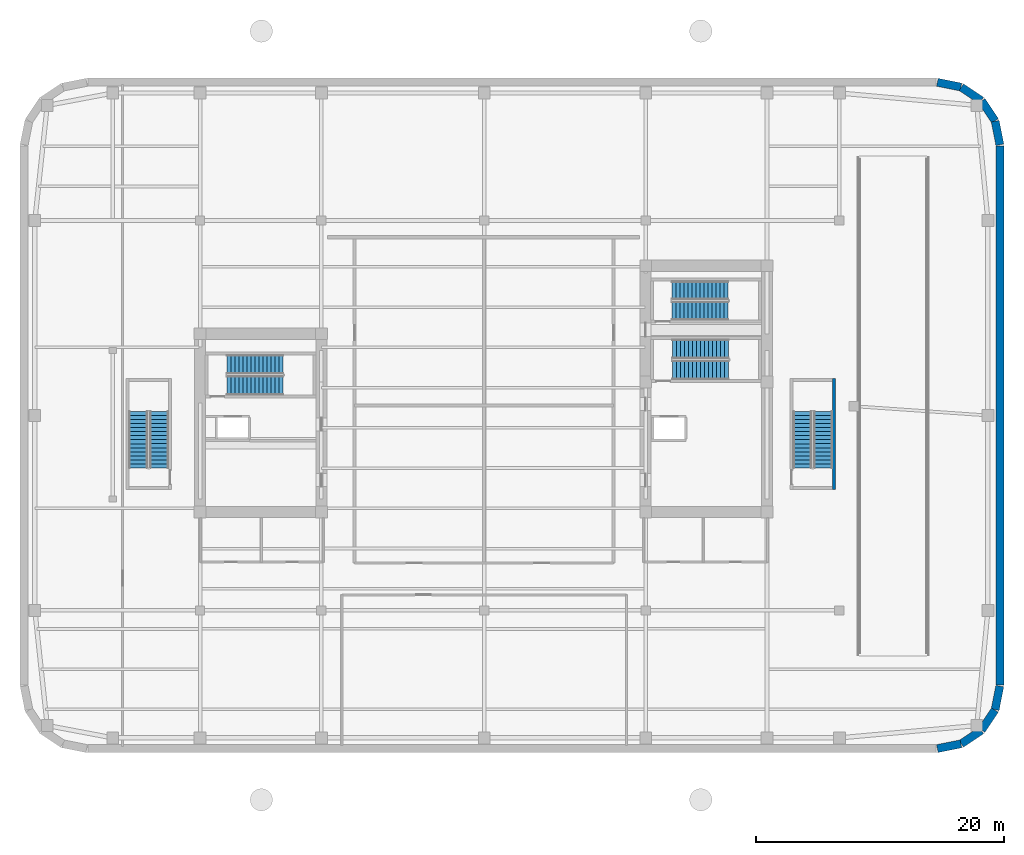
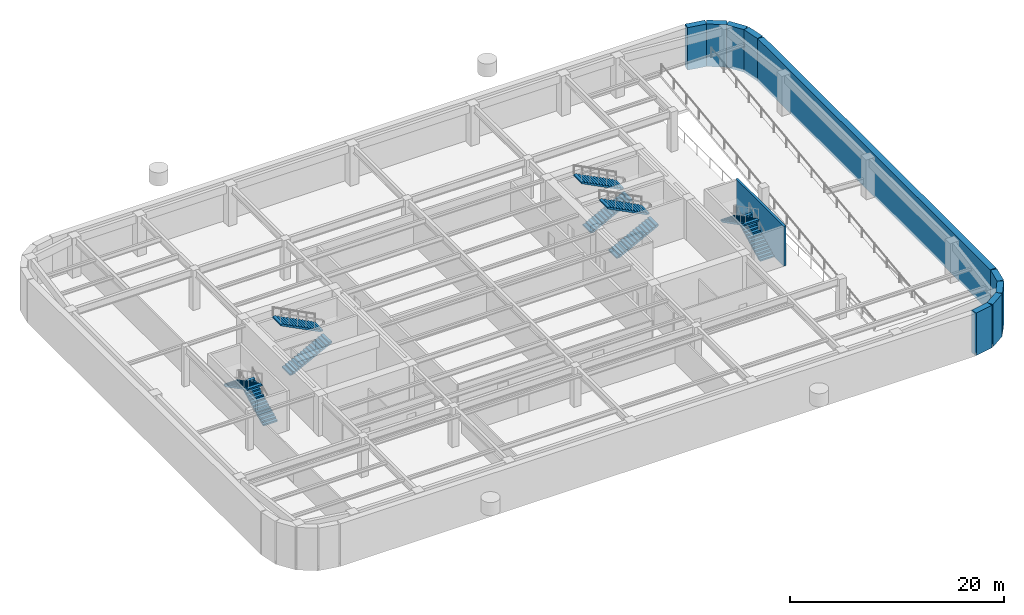
# One storey, part 7 of 12: 10 stair flights, 10 walls, 5 elements without a shape of their own.
"""IFC4 building model written with IfcOpenShell, lengths in metres."""

from ifc_helpers import new_model, si_unit, direction, frame, frame_2d, origin, place, context, subcontext, project, spatial, polyline, rectangle, outline, extrude, material, layer, layer_set, type_object, element, aggregate, save


model = new_model("IFC4")

# Units and contexts
model_context = context("Model", 3, precision=1e-05, world=origin(), true_north=direction((0.0, 1.0)))
body_context = subcontext(model_context, "Body", "Model", "MODEL_VIEW")
ifc_project = project(units=[si_unit("LENGTHUNIT", "METRE"), si_unit("AREAUNIT", "SQUARE_METRE"), si_unit("VOLUMEUNIT", "CUBIC_METRE"), si_unit("PLANEANGLEUNIT", "RADIAN"), si_unit("MASSUNIT", "GRAM", prefix="KILO")], contexts=[model_context])

# Site, building, storey
site_placement = place(None, origin())
site = spatial("IfcSite", under=ifc_project, at=site_placement, CompositionType="ELEMENT")
building_placement = place(site_placement, origin())
building = spatial("IfcBuilding", under=site, at=building_placement, Name="Kolvaren Arena Tower", CompositionType="ELEMENT")
storey_placement = place(building_placement, frame((0.0, 0.0, -5.0)))
storey = spatial("IfcBuildingStorey", under=building, at=storey_placement, Name="B01", CompositionType="ELEMENT", Elevation=-5.0)

# Walls
ifc_material_1 = material(Name="Concrete 50 MPa", Category="concrete")
ifc_layer_1 = layer(ifc_material_1, 0.64990234375)
ifc_layer_set_1 = layer_set([ifc_layer_1], Name="Concrete 50 MPa")
wall_type_1 = type_object("IfcWallType", Name="RWALL-650", PredefinedType="USERDEFINED", material=ifc_layer_set_1)
for number, where, z_axis, x_axis, name in (
    (1, (76.019775390625, 0.71337890625, -0.31005859375), (0.0, 0.0, 1.0), (-0.980754811029, -0.19524343944, 0.0), "Basement Perimeter Retaining Wall (B01)"),
    (2, (77.667236328125, 1.8046875, -0.31005859375), (0.0, 0.0, 1.0), (-0.831468126154, -0.555572457191, 0.0), "Basement Perimeter Retaining Wall (B01)"),
    (3, (78.771484375, 3.443359375, -0.31005859375), (0.0, 0.0, 1.0), (-0.555572457191, -0.831468126154, 0.0), "Basement Perimeter Retaining Wall (B01)"),
    (4, (79.164794921875, 5.3798828125, -0.31005859375), (0.0, 0.0, 1.0), (-0.19524343944, -0.980754811029, 0.0), "Basement Perimeter Retaining Wall (B01)"),
):
    element("IfcWall", number, at=place(storey_placement, frame(where, z_axis=z_axis, x_axis=x_axis)), inside=storey, type_object=wall_type_1, Name=name, ObjectType="RETAININGWALL", PredefinedType="USERDEFINED", context=body_context, shape_type="SweptSolid", body=[
        extrude(rectangle(XDim=1.93701171875, YDim=0.64990234375, at=frame_2d((0.968505859375, 0.0))), origin(), (0.0, 0.0, 1.0), 4.860107421875),
    ])
wall_1_placement = place(storey_placement, frame((79.175048828125, 49.014892578125, -0.31005859375), z_axis=(0.0, 0.0, 1.0), x_axis=(0.0, -1.0, 0.0)))
element("IfcWall", 5, at=wall_1_placement, inside=storey, type_object=wall_type_1, Name="Basement Perimeter Retaining Wall (B01)", ObjectType="RETAININGWALL", PredefinedType="USERDEFINED", context=body_context, shape_type="SweptSolid", body=[
    extrude(rectangle(XDim=43.52978515625, YDim=0.64990234375, at=frame_2d((21.764892578125, 0.0))), origin(), (0.0, 0.0, 1.0), 4.860107421875),
])
for number, where, z_axis, x_axis, name in (
    (6, (78.78662109375, 51.019775390625, -0.31005859375), (0.0, 0.0, 1.0), (0.19524343944, -0.980754811029, 0.0), "Basement Perimeter Retaining Wall (B01)"),
    (7, (77.6953125, 52.667236328125, -0.31005859375), (0.0, 0.0, 1.0), (0.555572457191, -0.831468126154, 0.0), "Basement Perimeter Retaining Wall (B01)"),
    (8, (76.056640625, 53.771484375, -0.31005859375), (0.0, 0.0, 1.0), (0.831468126154, -0.555572457191, 0.0), "Basement Perimeter Retaining Wall (B01)"),
    (9, (74.1201171875, 54.164794921875, -0.31005859375), (0.0, 0.0, 1.0), (0.980754811029, -0.19524343944, 0.0), "Basement Perimeter Retaining Wall (B01)"),
):
    element("IfcWall", number, at=place(storey_placement, frame(where, z_axis=z_axis, x_axis=x_axis)), inside=storey, type_object=wall_type_1, Name=name, ObjectType="RETAININGWALL", PredefinedType="USERDEFINED", context=body_context, shape_type="SweptSolid", body=[
        extrude(rectangle(XDim=1.93701171875, YDim=0.64990234375, at=frame_2d((0.968505859375, 0.0))), origin(), (0.0, 0.0, 1.0), 4.860107421875),
    ])
ifc_material_2 = material(Name="Concrete 45 MPa", Category="concrete")
ifc_layer_2 = layer(ifc_material_2, 0.25)
ifc_layer_set_2 = layer_set([ifc_layer_2], Name="Concrete 45 MPa")
wall_type_2 = type_object("IfcWallType", Name="SHAFT-250", PredefinedType="SOLIDWALL", material=ifc_layer_set_2)
wall_2_placement = place(storey_placement, frame((65.77001953125, 21.260009765625, 0.0), z_axis=(0.0, 0.0, 1.0), x_axis=(0.0, 1.0, 0.0)))
element("IfcWall", 10, at=wall_2_placement, inside=storey, type_object=wall_type_2, Name="Stair ST-B2 Rear Shaft Wall (B01)", PredefinedType="SOLIDWALL", context=body_context, shape_type="SweptSolid", body=[
    extrude(rectangle(XDim=8.97998046875, YDim=0.239990234375, at=frame_2d((4.489990234375, 0.0))), origin(), (0.0, 0.0, 1.0), 4.550048828125),
])

# Stair, stair flights
stair_type_1 = type_object("IfcStairType", Name="STAIR-BSMT-140", PredefinedType="HALF_TURN_STAIR", material=ifc_material_2)
stair_1_placement = place(storey_placement, origin())
stair_1 = element("IfcStair", 11, at=stair_1_placement, inside=storey, type_object=stair_type_1, Name="B01 ST-B1", PredefinedType="HALF_TURN_STAIR")
stair_flight_type_1 = type_object("IfcStairFlightType", Name="FLT-140", PredefinedType="STRAIGHT", material=ifc_material_2)
stair_flight_1_placement = place(storey_placement, frame((11.239990234375, 23.02001953125, 0.0), z_axis=(0.0, 0.0, 1.0), x_axis=(0.0, 1.0, 0.0)))
stair_flight_1 = element("IfcStairFlight", 12, at=stair_flight_1_placement, type_object=stair_flight_type_1, Name="ST-B1 flight 1", NumberOfRisers=15, NumberOfTreads=14, PredefinedType="STRAIGHT", RiserHeight=0.166666667, TreadLength=0.324, context=body_context, shape_type="SweptSolid", body=[
    extrude(outline(polyline([(0.0, 0.0), (0.0, 0.166748046875), (0.323974609375, 0.166748046875), (0.323974609375, 0.333251953125), (0.64794921875, 0.333251953125), (0.64794921875, 0.5), (0.971923828125, 0.5), (0.971923828125, 0.666748046875), (1.2958984375, 0.666748046875), (1.2958984375, 0.833251953125), (1.6201171875, 0.833251953125), (1.6201171875, 1.0), (1.944091796875, 1.0), (1.944091796875, 1.166748046875), (2.26806640625, 1.166748046875), (2.26806640625, 1.333251953125), (2.592041015625, 1.333251953125), (2.592041015625, 1.5), (2.916015625, 1.5), (2.916015625, 1.666748046875), (3.239990234375, 1.666748046875), (3.239990234375, 1.833251953125), (3.56396484375, 1.833251953125), (3.56396484375, 2.0), (3.887939453125, 2.0), (3.887939453125, 2.166748046875), (4.2119140625, 2.166748046875), (4.2119140625, 2.333251953125), (4.535888671875, 2.333251953125), (4.535888671875, 2.5), (4.535888671875, 2.164794921875), (0.32763671875, 0.0), (0.0, 0.0)])), frame((0.0, 0.760009765625, 0.0), z_axis=(0.0, -1.0, 0.0), x_axis=(1.0, 0.0, 0.0)), (0.0, 0.0, 1.0), 1.52001953125),
])
stair_flight_2_placement = place(storey_placement, frame((9.570068359375, 27.555908203125, 2.5), z_axis=(0.0, 0.0, 1.0), x_axis=(0.0, -1.0, 0.0)))
stair_flight_2 = element("IfcStairFlight", 13, at=stair_flight_2_placement, type_object=stair_flight_type_1, Name="ST-B1 flight 2", NumberOfRisers=15, NumberOfTreads=14, PredefinedType="STRAIGHT", RiserHeight=0.166666667, TreadLength=0.324, context=body_context, shape_type="SweptSolid", body=[
    extrude(outline(polyline([(0.0, 0.0), (0.0, 0.166748046875), (0.323974609375, 0.166748046875), (0.323974609375, 0.333251953125), (0.64794921875, 0.333251953125), (0.64794921875, 0.5), (0.971923828125, 0.5), (0.971923828125, 0.666748046875), (1.2958984375, 0.666748046875), (1.2958984375, 0.833251953125), (1.6201171875, 0.833251953125), (1.6201171875, 1.0), (1.944091796875, 1.0), (1.944091796875, 1.166748046875), (2.26806640625, 1.166748046875), (2.26806640625, 1.333251953125), (2.592041015625, 1.333251953125), (2.592041015625, 1.5), (2.916015625, 1.5), (2.916015625, 1.666748046875), (3.239990234375, 1.666748046875), (3.239990234375, 1.833251953125), (3.56396484375, 1.833251953125), (3.56396484375, 2.0), (3.887939453125, 2.0), (3.887939453125, 2.166748046875), (4.2119140625, 2.166748046875), (4.2119140625, 2.333251953125), (4.535888671875, 2.333251953125), (4.535888671875, 2.5), (4.535888671875, 2.164794921875), (0.32763671875, 0.0), (0.0, 0.0)])), frame((0.0, 0.760009765625, 0.0), z_axis=(0.0, -1.0, 0.0), x_axis=(1.0, 0.0, 0.0)), (0.0, 0.0, 1.0), 1.52001953125),
])
aggregate(stair_1, [stair_flight_1, stair_flight_2])

stair_2_placement = place(storey_placement, origin())
stair_2 = element("IfcStair", 14, at=stair_2_placement, inside=storey, type_object=stair_type_1, Name="B01 ST-B2", PredefinedType="HALF_TURN_STAIR")
stair_flight_3_placement = place(storey_placement, frame((64.889892578125, 23.02001953125, 0.0), z_axis=(0.0, 0.0, 1.0), x_axis=(0.0, 1.0, 0.0)))
stair_flight_3 = element("IfcStairFlight", 15, at=stair_flight_3_placement, type_object=stair_flight_type_1, Name="ST-B2 flight 1", NumberOfRisers=15, NumberOfTreads=14, PredefinedType="STRAIGHT", RiserHeight=0.166666667, TreadLength=0.324, context=body_context, shape_type="SweptSolid", body=[
    extrude(outline(polyline([(0.0, 0.0), (0.0, 0.166748046875), (0.323974609375, 0.166748046875), (0.323974609375, 0.333251953125), (0.64794921875, 0.333251953125), (0.64794921875, 0.5), (0.971923828125, 0.5), (0.971923828125, 0.666748046875), (1.2958984375, 0.666748046875), (1.2958984375, 0.833251953125), (1.6201171875, 0.833251953125), (1.6201171875, 1.0), (1.944091796875, 1.0), (1.944091796875, 1.166748046875), (2.26806640625, 1.166748046875), (2.26806640625, 1.333251953125), (2.592041015625, 1.333251953125), (2.592041015625, 1.5), (2.916015625, 1.5), (2.916015625, 1.666748046875), (3.239990234375, 1.666748046875), (3.239990234375, 1.833251953125), (3.56396484375, 1.833251953125), (3.56396484375, 2.0), (3.887939453125, 2.0), (3.887939453125, 2.166748046875), (4.2119140625, 2.166748046875), (4.2119140625, 2.333251953125), (4.535888671875, 2.333251953125), (4.535888671875, 2.5), (4.535888671875, 2.164794921875), (0.32763671875, 0.0), (0.0, 0.0)])), frame((0.0, 0.760009765625, 0.0), z_axis=(0.0, -1.0, 0.0), x_axis=(1.0, 0.0, 0.0)), (0.0, 0.0, 1.0), 1.52001953125),
])
stair_flight_4_placement = place(storey_placement, frame((63.219970703125, 27.555908203125, 2.5), z_axis=(0.0, 0.0, 1.0), x_axis=(0.0, -1.0, 0.0)))
stair_flight_4 = element("IfcStairFlight", 16, at=stair_flight_4_placement, type_object=stair_flight_type_1, Name="ST-B2 flight 2", NumberOfRisers=15, NumberOfTreads=14, PredefinedType="STRAIGHT", RiserHeight=0.166666667, TreadLength=0.324, context=body_context, shape_type="SweptSolid", body=[
    extrude(outline(polyline([(0.0, 0.0), (0.0, 0.166748046875), (0.323974609375, 0.166748046875), (0.323974609375, 0.333251953125), (0.64794921875, 0.333251953125), (0.64794921875, 0.5), (0.971923828125, 0.5), (0.971923828125, 0.666748046875), (1.2958984375, 0.666748046875), (1.2958984375, 0.833251953125), (1.6201171875, 0.833251953125), (1.6201171875, 1.0), (1.944091796875, 1.0), (1.944091796875, 1.166748046875), (2.26806640625, 1.166748046875), (2.26806640625, 1.333251953125), (2.592041015625, 1.333251953125), (2.592041015625, 1.5), (2.916015625, 1.5), (2.916015625, 1.666748046875), (3.239990234375, 1.666748046875), (3.239990234375, 1.833251953125), (3.56396484375, 1.833251953125), (3.56396484375, 2.0), (3.887939453125, 2.0), (3.887939453125, 2.166748046875), (4.2119140625, 2.166748046875), (4.2119140625, 2.333251953125), (4.535888671875, 2.333251953125), (4.535888671875, 2.5), (4.535888671875, 2.164794921875), (0.32763671875, 0.0), (0.0, 0.0)])), frame((0.0, 0.760009765625, 0.0), z_axis=(0.0, -1.0, 0.0), x_axis=(1.0, 0.0, 0.0)), (0.0, 0.0, 1.0), 1.52001953125),
])
aggregate(stair_2, [stair_flight_3, stair_flight_4])

stair_type_2 = type_object("IfcStairType", Name="STAIR-CORE-150", PredefinedType="HALF_TURN_STAIR", material=ifc_material_2)
stair_3_placement = place(storey_placement, origin())
stair_3 = element("IfcStair", 17, at=stair_3_placement, inside=storey, type_object=stair_type_2, Name="B01 ST-E2", PredefinedType="HALF_TURN_STAIR")
stair_flight_type_2 = type_object("IfcStairFlightType", Name="FLT-150", PredefinedType="STRAIGHT", material=ifc_material_2)
stair_flight_5_placement = place(storey_placement, frame((52.679931640625, 35.699951171875, 0.0), z_axis=(0.0, 0.0, 1.0), x_axis=(1.0, 0.0, 0.0)))
stair_flight_5 = element("IfcStairFlight", 18, at=stair_flight_5_placement, type_object=stair_flight_type_2, Name="ST-E2 flight 1", NumberOfRisers=15, NumberOfTreads=14, PredefinedType="STRAIGHT", RiserHeight=0.166666667, TreadLength=0.324, context=body_context, shape_type="SweptSolid", body=[
    extrude(outline(polyline([(0.0, 0.0), (0.0, 0.166748046875), (0.323974609375, 0.166748046875), (0.323974609375, 0.333251953125), (0.64794921875, 0.333251953125), (0.64794921875, 0.5), (0.971923828125, 0.5), (0.971923828125, 0.666748046875), (1.2958984375, 0.666748046875), (1.2958984375, 0.833251953125), (1.6201171875, 0.833251953125), (1.6201171875, 1.0), (1.944091796875, 1.0), (1.944091796875, 1.166748046875), (2.26806640625, 1.166748046875), (2.26806640625, 1.333251953125), (2.592041015625, 1.333251953125), (2.592041015625, 1.5), (2.916015625, 1.5), (2.916015625, 1.666748046875), (3.239990234375, 1.666748046875), (3.239990234375, 1.833251953125), (3.56396484375, 1.833251953125), (3.56396484375, 2.0), (3.887939453125, 2.0), (3.887939453125, 2.166748046875), (4.2119140625, 2.166748046875), (4.2119140625, 2.333251953125), (4.535888671875, 2.333251953125), (4.535888671875, 2.5), (4.535888671875, 2.164794921875), (0.32763671875, 0.0), (0.0, 0.0)])), frame((0.0, 0.75, 0.0), z_axis=(0.0, -1.0, 0.0), x_axis=(1.0, 0.0, 0.0)), (0.0, 0.0, 1.0), 1.5),
])
stair_flight_6_placement = place(storey_placement, frame((57.216064453125, 37.35009765625, 2.5), z_axis=(0.0, 0.0, 1.0), x_axis=(-1.0, 0.0, 0.0)))
stair_flight_6 = element("IfcStairFlight", 19, at=stair_flight_6_placement, type_object=stair_flight_type_2, Name="ST-E2 flight 2", NumberOfRisers=15, NumberOfTreads=14, PredefinedType="STRAIGHT", RiserHeight=0.166666667, TreadLength=0.324, context=body_context, shape_type="SweptSolid", body=[
    extrude(outline(polyline([(0.0, 0.0), (0.0, 0.166748046875), (0.323974609375, 0.166748046875), (0.323974609375, 0.333251953125), (0.64794921875, 0.333251953125), (0.64794921875, 0.5), (0.971923828125, 0.5), (0.971923828125, 0.666748046875), (1.2958984375, 0.666748046875), (1.2958984375, 0.833251953125), (1.6201171875, 0.833251953125), (1.6201171875, 1.0), (1.944091796875, 1.0), (1.944091796875, 1.166748046875), (2.26806640625, 1.166748046875), (2.26806640625, 1.333251953125), (2.592041015625, 1.333251953125), (2.592041015625, 1.5), (2.916015625, 1.5), (2.916015625, 1.666748046875), (3.239990234375, 1.666748046875), (3.239990234375, 1.833251953125), (3.56396484375, 1.833251953125), (3.56396484375, 2.0), (3.887939453125, 2.0), (3.887939453125, 2.166748046875), (4.2119140625, 2.166748046875), (4.2119140625, 2.333251953125), (4.535888671875, 2.333251953125), (4.535888671875, 2.5), (4.535888671875, 2.164794921875), (0.32763671875, 0.0), (0.0, 0.0)])), frame((0.0, 0.75, 0.0), z_axis=(0.0, -1.0, 0.0), x_axis=(1.0, 0.0, 0.0)), (0.0, 0.0, 1.0), 1.5),
])
aggregate(stair_3, [stair_flight_5, stair_flight_6])

stair_type_3 = type_object("IfcStairType", Name="STAIR-CORE-165", PredefinedType="HALF_TURN_STAIR", material=ifc_material_2)
stair_4_placement = place(storey_placement, origin())
stair_4 = element("IfcStair", 20, at=stair_4_placement, inside=storey, type_object=stair_type_3, Name="B01 ST-W1", PredefinedType="HALF_TURN_STAIR")
stair_flight_type_3 = type_object("IfcStairFlightType", Name="FLT-165", PredefinedType="STRAIGHT", material=ifc_material_2)
stair_flight_7_placement = place(storey_placement, frame((16.719970703125, 29.669921875, 0.0), z_axis=(0.0, 0.0, 1.0), x_axis=(1.0, 0.0, 0.0)))
stair_flight_7 = element("IfcStairFlight", 21, at=stair_flight_7_placement, type_object=stair_flight_type_3, Name="ST-W1 flight 1", NumberOfRisers=15, NumberOfTreads=14, PredefinedType="STRAIGHT", RiserHeight=0.166666667, TreadLength=0.324, context=body_context, shape_type="SweptSolid", body=[
    extrude(outline(polyline([(0.0, 0.0), (0.0, 0.166748046875), (0.323974609375, 0.166748046875), (0.323974609375, 0.333251953125), (0.64794921875, 0.333251953125), (0.64794921875, 0.5), (0.971923828125, 0.5), (0.971923828125, 0.666748046875), (1.2958984375, 0.666748046875), (1.2958984375, 0.833251953125), (1.6201171875, 0.833251953125), (1.6201171875, 1.0), (1.944091796875, 1.0), (1.944091796875, 1.166748046875), (2.26806640625, 1.166748046875), (2.26806640625, 1.333251953125), (2.592041015625, 1.333251953125), (2.592041015625, 1.5), (2.916015625, 1.5), (2.916015625, 1.666748046875), (3.239990234375, 1.666748046875), (3.239990234375, 1.833251953125), (3.56396484375, 1.833251953125), (3.56396484375, 2.0), (3.887939453125, 2.0), (3.887939453125, 2.166748046875), (4.2119140625, 2.166748046875), (4.2119140625, 2.333251953125), (4.535888671875, 2.333251953125), (4.535888671875, 2.5), (4.535888671875, 2.164794921875), (0.32763671875, 0.0), (0.0, 0.0)])), frame((0.0, 0.77001953125, 0.0), z_axis=(0.0, -1.0, 0.0), x_axis=(1.0, 0.0, 0.0)), (0.0, 0.0, 1.0), 1.5400390625),
])
stair_flight_8_placement = place(storey_placement, frame((21.256103515625, 31.360107421875, 2.5), z_axis=(0.0, 0.0, 1.0), x_axis=(-1.0, 0.0, 0.0)))
stair_flight_8 = element("IfcStairFlight", 22, at=stair_flight_8_placement, type_object=stair_flight_type_3, Name="ST-W1 flight 2", NumberOfRisers=15, NumberOfTreads=14, PredefinedType="STRAIGHT", RiserHeight=0.166666667, TreadLength=0.324, context=body_context, shape_type="SweptSolid", body=[
    extrude(outline(polyline([(0.0, 0.0), (0.0, 0.166748046875), (0.323974609375, 0.166748046875), (0.323974609375, 0.333251953125), (0.64794921875, 0.333251953125), (0.64794921875, 0.5), (0.971923828125, 0.5), (0.971923828125, 0.666748046875), (1.2958984375, 0.666748046875), (1.2958984375, 0.833251953125), (1.6201171875, 0.833251953125), (1.6201171875, 1.0), (1.944091796875, 1.0), (1.944091796875, 1.166748046875), (2.26806640625, 1.166748046875), (2.26806640625, 1.333251953125), (2.592041015625, 1.333251953125), (2.592041015625, 1.5), (2.916015625, 1.5), (2.916015625, 1.666748046875), (3.239990234375, 1.666748046875), (3.239990234375, 1.833251953125), (3.56396484375, 1.833251953125), (3.56396484375, 2.0), (3.887939453125, 2.0), (3.887939453125, 2.166748046875), (4.2119140625, 2.166748046875), (4.2119140625, 2.333251953125), (4.535888671875, 2.333251953125), (4.535888671875, 2.5), (4.535888671875, 2.164794921875), (0.32763671875, 0.0), (0.0, 0.0)])), frame((0.0, 0.77001953125, 0.0), z_axis=(0.0, -1.0, 0.0), x_axis=(1.0, 0.0, 0.0)), (0.0, 0.0, 1.0), 1.5400390625),
])
aggregate(stair_4, [stair_flight_7, stair_flight_8])

stair_5_placement = place(storey_placement, origin())
stair_5 = element("IfcStair", 23, at=stair_5_placement, inside=storey, type_object=stair_type_3, Name="B01 ST-E1", PredefinedType="HALF_TURN_STAIR")
stair_flight_9_placement = place(storey_placement, frame((52.719970703125, 30.919921875, 0.0), z_axis=(0.0, 0.0, 1.0), x_axis=(1.0, 0.0, 0.0)))
stair_flight_9 = element("IfcStairFlight", 24, at=stair_flight_9_placement, type_object=stair_flight_type_3, Name="ST-E1 flight 1", NumberOfRisers=15, NumberOfTreads=14, PredefinedType="STRAIGHT", RiserHeight=0.166666667, TreadLength=0.324, context=body_context, shape_type="SweptSolid", body=[
    extrude(outline(polyline([(0.0, 0.0), (0.0, 0.166748046875), (0.323974609375, 0.166748046875), (0.323974609375, 0.333251953125), (0.64794921875, 0.333251953125), (0.64794921875, 0.5), (0.971923828125, 0.5), (0.971923828125, 0.666748046875), (1.2958984375, 0.666748046875), (1.2958984375, 0.833251953125), (1.6201171875, 0.833251953125), (1.6201171875, 1.0), (1.944091796875, 1.0), (1.944091796875, 1.166748046875), (2.26806640625, 1.166748046875), (2.26806640625, 1.333251953125), (2.592041015625, 1.333251953125), (2.592041015625, 1.5), (2.916015625, 1.5), (2.916015625, 1.666748046875), (3.239990234375, 1.666748046875), (3.239990234375, 1.833251953125), (3.56396484375, 1.833251953125), (3.56396484375, 2.0), (3.887939453125, 2.0), (3.887939453125, 2.166748046875), (4.2119140625, 2.166748046875), (4.2119140625, 2.333251953125), (4.535888671875, 2.333251953125), (4.535888671875, 2.5), (4.535888671875, 2.164794921875), (0.32763671875, 0.0), (0.0, 0.0)])), frame((0.0, 0.77001953125, 0.0), z_axis=(0.0, -1.0, 0.0), x_axis=(1.0, 0.0, 0.0)), (0.0, 0.0, 1.0), 1.5400390625),
])
stair_flight_10_placement = place(storey_placement, frame((57.256103515625, 32.610107421875, 2.5), z_axis=(0.0, 0.0, 1.0), x_axis=(-1.0, 0.0, 0.0)))
stair_flight_10 = element("IfcStairFlight", 25, at=stair_flight_10_placement, type_object=stair_flight_type_3, Name="ST-E1 flight 2", NumberOfRisers=15, NumberOfTreads=14, PredefinedType="STRAIGHT", RiserHeight=0.166666667, TreadLength=0.324, context=body_context, shape_type="SweptSolid", body=[
    extrude(outline(polyline([(0.0, 0.0), (0.0, 0.166748046875), (0.323974609375, 0.166748046875), (0.323974609375, 0.333251953125), (0.64794921875, 0.333251953125), (0.64794921875, 0.5), (0.971923828125, 0.5), (0.971923828125, 0.666748046875), (1.2958984375, 0.666748046875), (1.2958984375, 0.833251953125), (1.6201171875, 0.833251953125), (1.6201171875, 1.0), (1.944091796875, 1.0), (1.944091796875, 1.166748046875), (2.26806640625, 1.166748046875), (2.26806640625, 1.333251953125), (2.592041015625, 1.333251953125), (2.592041015625, 1.5), (2.916015625, 1.5), (2.916015625, 1.666748046875), (3.239990234375, 1.666748046875), (3.239990234375, 1.833251953125), (3.56396484375, 1.833251953125), (3.56396484375, 2.0), (3.887939453125, 2.0), (3.887939453125, 2.166748046875), (4.2119140625, 2.166748046875), (4.2119140625, 2.333251953125), (4.535888671875, 2.333251953125), (4.535888671875, 2.5), (4.535888671875, 2.164794921875), (0.32763671875, 0.0), (0.0, 0.0)])), frame((0.0, 0.77001953125, 0.0), z_axis=(0.0, -1.0, 0.0), x_axis=(1.0, 0.0, 0.0)), (0.0, 0.0, 1.0), 1.5400390625),
])
aggregate(stair_5, [stair_flight_9, stair_flight_10])

save(model, "model.ifc")
